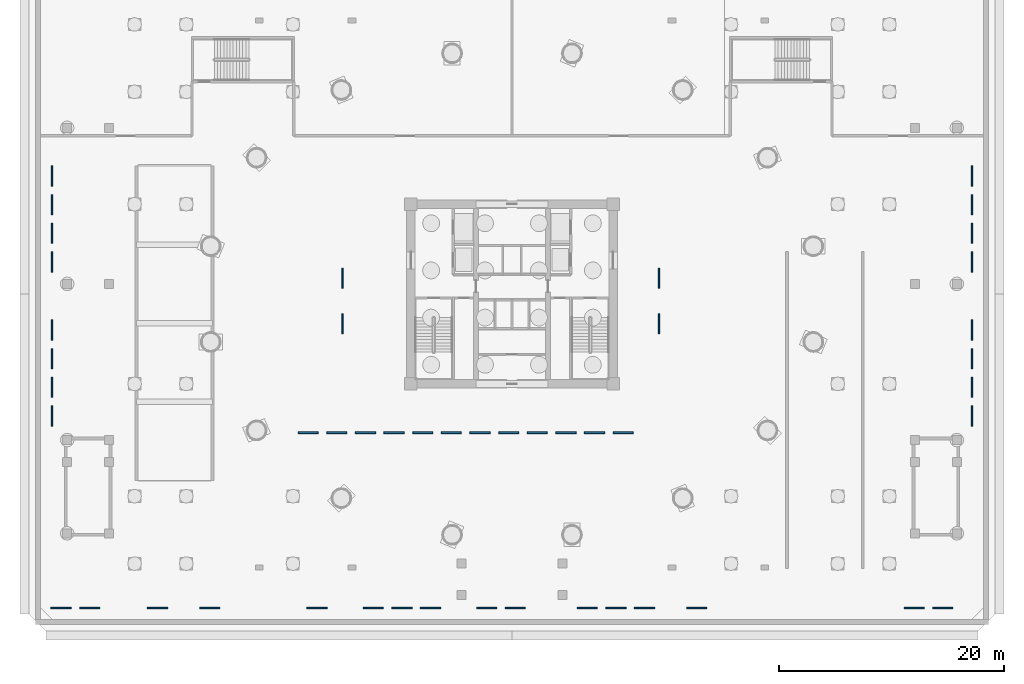
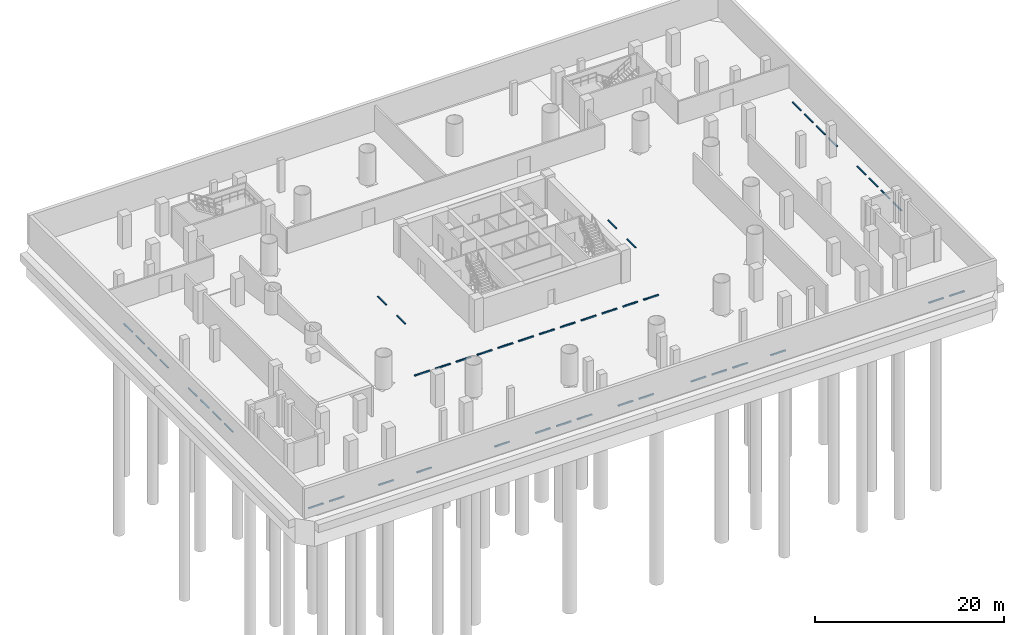
# One storey, part 7 of 11: 48 discrete accessories.
"""IFC4 building model written with IfcOpenShell, lengths in metres."""

import ifcopenshell
import ifcopenshell.guid

model = None  # the IFC model being written
_history = None  # IfcOwnerHistory: only IFC2X3 demands one
_inside = {}  # id of a spatial element -> (the spatial element, [elements in it])
_under = {}  # id of a project, library or spatial element -> (it, [spatial elements below it])
_declared = {}  # id of a project -> (the project, [libraries it declares])
_typed = {}  # id of a type object -> (the type object, [elements of that type])
_made_of = {}  # id of a material, layer set ... -> (it, [elements and type objects made of it])


def new_model(schema):
    """Start an empty IFC model of exactly this schema.

    Asked for "IFC4X3", IfcOpenShell would pick the latest addendum, in which some entities
    have other attributes; the version numbers below select the first issue.
    IFC2X3 requires an IfcOwnerHistory on every rooted entity: one is made here for all.
    """
    global model, _history
    if schema == "IFC4X3":
        model = ifcopenshell.file(schema_version=(4, 3, 0, 0))
    else:
        model = ifcopenshell.file(schema=schema)
    _inside.clear()
    _under.clear()
    _declared.clear()
    _typed.clear()
    _made_of.clear()
    _history = None
    if model.schema == "IFC2X3":
        org = make("IfcOrganization", Name="unknown")
        user = make(
            "IfcPersonAndOrganization",
            ThePerson=make("IfcPerson", FamilyName="unknown"),
            TheOrganization=org,
        )
        app = make(
            "IfcApplication",
            ApplicationDeveloper=org,
            Version="unknown",
            ApplicationFullName="unknown",
            ApplicationIdentifier="unknown",
        )
        _history = make(
            "IfcOwnerHistory",
            OwningUser=user,
            OwningApplication=app,
            ChangeAction="ADDED",
            CreationDate=0,
        )
    return model


def make(cls, **values):
    """One entity of the class cls with the attributes given. An attribute that is None is left unset."""
    return model.create_entity(
        cls, **{name: value for name, value in values.items() if value is not None}
    )


def rooted(cls, **values):
    """An entity with a GlobalId (a new one), such as an element, a storey or a relation."""
    return make(cls, GlobalId=ifcopenshell.guid.new(), OwnerHistory=_history, **values)


def si_unit(unit_type, name, prefix=None):
    """IfcSIUnit, for example si_unit("LENGTHUNIT", "METRE", prefix="MILLI")."""
    return make("IfcSIUnit", UnitType=unit_type, Prefix=prefix, Name=name)


def assignment(units):
    """IfcUnitAssignment: the units of a project."""
    return None if units is None else make("IfcUnitAssignment", Units=units)


def point(xyz):
    """IfcCartesianPoint."""
    return None if xyz is None else make("IfcCartesianPoint", Coordinates=xyz)


def direction(xyz):
    """IfcDirection."""
    return None if xyz is None else make("IfcDirection", DirectionRatios=xyz)


def frame(location, z_axis=None, x_axis=None):
    """IfcAxis2Placement3D, a coordinate frame: its origin and axes. An axis left out is left unset."""
    return make(
        "IfcAxis2Placement3D",
        Location=point(location),
        Axis=direction(z_axis),
        RefDirection=direction(x_axis),
    )


def frame_2d(location, x_axis=None):
    """IfcAxis2Placement2D, a coordinate frame in the plane: its origin and x axis."""
    return make(
        "IfcAxis2Placement2D", Location=point(location), RefDirection=direction(x_axis)
    )


def origin():
    """The frame at (0, 0, 0) with its axes left unset."""
    return frame((0.0, 0.0, 0.0))


def origin_2d():
    """The frame at (0, 0) in the plane with its x axis left unset."""
    return frame_2d((0.0, 0.0))


def place(relative_to, where):
    """IfcLocalPlacement: puts the frame where relative to a parent placement (None: the world)."""
    return make(
        "IfcLocalPlacement", PlacementRelTo=relative_to, RelativePlacement=where
    )


def context(
    kind, dimensions, precision=None, world=None, true_north=None, identifier=None
):
    """IfcGeometricRepresentationContext, for example the 3D "Model" context."""
    return make(
        "IfcGeometricRepresentationContext",
        ContextIdentifier=identifier,
        ContextType=kind,
        CoordinateSpaceDimension=dimensions,
        Precision=precision,
        WorldCoordinateSystem=world,
        TrueNorth=true_north,
    )


def subcontext(parent, identifier, kind, view, scale=None):
    """IfcGeometricRepresentationSubContext, for example "Body" below "Model"."""
    return make(
        "IfcGeometricRepresentationSubContext",
        ContextIdentifier=identifier,
        ContextType=kind,
        ParentContext=parent,
        TargetScale=scale,
        TargetView=view,
    )


def project(units=None, contexts=None):
    """IfcProject with its units and contexts."""
    return rooted(
        "IfcProject",
        Name="project",
        RepresentationContexts=contexts,
        UnitsInContext=assignment(units),
    )


def spatial(cls, under=None, at=None, **own):
    """A site, building, storey or space (cls), placed at a placement, below another one or the project."""
    s = rooted(cls, ObjectPlacement=at, **own)
    if under is not None:
        _under.setdefault(under.id(), (under, []))[1].append(s)
    return s


def profile(cls, at=None, kind="AREA", **sizes):
    """A parametric profile (cls). Its sizes go by their IFC names, for example OverallWidth=200.0."""
    return make(cls, ProfileType=kind, Position=at, **sizes)


def rectangle(**sizes):
    """IfcRectangleProfileDef."""
    return profile("IfcRectangleProfileDef", **sizes)


def extrude(swept, where, along, depth):
    """IfcExtrudedAreaSolid: the profile swept, set in the frame where, extruded along a direction by depth."""
    return make(
        "IfcExtrudedAreaSolid",
        SweptArea=swept,
        Position=where,
        ExtrudedDirection=direction(along),
        Depth=depth,
    )


def shape(context_of_items, identifier, shape_type, items):
    """IfcShapeRepresentation: the items that make up one representation, for example the "Body"."""
    return make(
        "IfcShapeRepresentation",
        ContextOfItems=context_of_items,
        RepresentationIdentifier=identifier,
        RepresentationType=shape_type,
        Items=items,
    )


def source(mapping_origin, context_of_items, identifier, shape_type, items):
    """IfcRepresentationMap: a shape defined once, which mapped items show again and again."""
    return make(
        "IfcRepresentationMap",
        MappingOrigin=mapping_origin,
        MappedRepresentation=shape(context_of_items, identifier, shape_type, items),
    )


def transform(
    local_origin,
    x_axis=None,
    y_axis=None,
    z_axis=None,
    scale=None,
    scale2=None,
    scale3=None,
    uniform=True,
):
    """IfcCartesianTransformationOperator3D, or its non-uniform kind. x_axis, y_axis, z_axis: its Axis1, 2, 3."""
    if uniform:
        return make(
            "IfcCartesianTransformationOperator3D",
            Axis1=direction(x_axis),
            Axis2=direction(y_axis),
            LocalOrigin=point(local_origin),
            Scale=scale,
            Axis3=direction(z_axis),
        )
    return make(
        "IfcCartesianTransformationOperator3DnonUniform",
        Axis1=direction(x_axis),
        Axis2=direction(y_axis),
        LocalOrigin=point(local_origin),
        Scale=scale,
        Axis3=direction(z_axis),
        Scale2=scale2,
        Scale3=scale3,
    )


def mapped(mapping_source, mapping_target):
    """IfcMappedItem: shows the shape of a source again, moved by a transform."""
    return make(
        "IfcMappedItem", MappingSource=mapping_source, MappingTarget=mapping_target
    )


def material(Name=None, Category=None):
    """IfcMaterial."""
    return make("IfcMaterial", Name=Name, Category=Category)


def layer(
    of_material, thickness, ventilated=None, Name=None, Category=None, Priority=None
):
    """IfcMaterialLayer: one layer of a wall or slab, of a material (None: an air gap)."""
    return make(
        "IfcMaterialLayer",
        Material=of_material,
        LayerThickness=thickness,
        IsVentilated=ventilated,
        Name=Name,
        Category=Category,
        Priority=Priority,
    )


def layer_set(layers, Name=None):
    """IfcMaterialLayerSet."""
    return make("IfcMaterialLayerSet", MaterialLayers=layers, LayerSetName=Name)


def made_of(thing, what):
    """Note that an element or type object is made of a material, layer set ...; save() writes the relation."""
    if what is not None:
        _made_of.setdefault(what.id(), (what, []))[1].append(thing)
    return thing


def type_object(cls, material=None, **own):
    """A type object (cls), such as IfcWallType, which elements share."""
    return made_of(rooted(cls, **own), material)


def element(
    cls,
    number,
    at=None,
    inside=None,
    cuts=None,
    type_object=None,
    material=None,
    context=None,
    identifier="Body",
    shape_type=None,
    held_by="IfcProductDefinitionShape",
    body=None,
    shapes=None,
    **own,
):
    """One element of the class cls, such as IfcWall. Its Tag is "e" and its number.

    at: its placement. inside: the storey or other place that contains it. cuts: it is an
    opening in that element (IfcRelVoidsElement). A single representation is given by context,
    identifier, shape_type and body (its items); several are given by shapes. held_by: the class
    of the entity that holds the representations. save() writes the other relations.
    """
    e = rooted(cls, Tag="e%d" % number, ObjectPlacement=at, **own)
    if body is not None:
        shapes = [shape(context, identifier, shape_type, body)]
    if shapes is not None:
        e.Representation = make(held_by, Representations=shapes)
    if inside is not None:
        _inside.setdefault(inside.id(), (inside, []))[1].append(e)
    if cuts is not None:
        rooted(
            "IfcRelVoidsElement", RelatingBuildingElement=cuts, RelatedOpeningElement=e
        )
    if type_object is not None:
        _typed.setdefault(type_object.id(), (type_object, []))[1].append(e)
    return made_of(e, material)


def aggregate(whole, parts):
    """IfcRelAggregates: a whole, such as a stair, and the parts it consists of."""
    return rooted("IfcRelAggregates", RelatingObject=whole, RelatedObjects=parts)


def save(model, path):
    """Write the relations noted so far, then the file.

    IfcRelAggregates (storeys below a building ...), IfcRelContainedInSpatialStructure (elements
    in a storey), IfcRelDefinesByType, IfcRelAssociatesMaterial and IfcRelDeclares: one each for
    every whole, place, type object, material and project.
    """
    for whole, parts in _under.values():
        aggregate(whole, parts)
    for where, things in _inside.values():
        rooted(
            "IfcRelContainedInSpatialStructure",
            RelatedElements=things,
            RelatingStructure=where,
        )
    for kind, things in _typed.values():
        rooted("IfcRelDefinesByType", RelatedObjects=things, RelatingType=kind)
    for what, things in _made_of.values():
        rooted("IfcRelAssociatesMaterial", RelatedObjects=things, RelatingMaterial=what)
    for by, libraries in _declared.values():
        rooted("IfcRelDeclares", RelatingContext=by, RelatedDefinitions=libraries)
    model.write(path)


model = new_model("IFC4")

# Units and contexts
model_context = context("Model", 3, precision=1e-05, world=origin(), true_north=direction((-0.2419218956, 0.970295726276)))
body_context = subcontext(model_context, "Body", "Model", "MODEL_VIEW")
ifc_project = project(units=[si_unit("LENGTHUNIT", "METRE"), si_unit("AREAUNIT", "SQUARE_METRE"), si_unit("VOLUMEUNIT", "CUBIC_METRE"), si_unit("PLANEANGLEUNIT", "RADIAN"), si_unit("MASSUNIT", "GRAM", prefix="KILO")], contexts=[model_context])

# Site, building, storey
site_placement = place(None, origin())
site = spatial("IfcSite", under=ifc_project, at=site_placement, CompositionType="ELEMENT")
building_placement = place(site_placement, origin())
building = spatial("IfcBuilding", under=site, at=building_placement, Name="Cobrevalo Terracotta Tower", CompositionType="ELEMENT")
storey_placement = place(building_placement, frame((0.0, 0.0, -8.39990234375)))
storey = spatial("IfcBuildingStorey", under=building, at=storey_placement, Name="B02", CompositionType="ELEMENT", Elevation=-8.39990234375)

# Discrete accessories
ifc_material = material(Name="Precast concrete C45", Category="concrete")
ifc_layer_1 = layer(ifc_material, 0.1201171875)
ifc_layer_set_1 = layer_set([ifc_layer_1], Name="Precast concrete C45")
discrete_accessory_type_1 = type_object("IfcDiscreteAccessoryType", Name="Accessible parking bay wheel stop", PredefinedType="USERDEFINED", material=ifc_layer_set_1)
shared_shape = source(origin(), body_context, "Body", "SweptSolid", [
    extrude(rectangle(XDim=1.800048828125, YDim=0.14990234375, at=origin_2d()), origin(), (0.0, 0.0, 1.0), 0.1201171875),
])
for number, where, z_axis, x_axis, name in (
    (1, (22.89990234375, 28.199951171875, -0.000244140625), (0.0, 0.0, 1.0), (0.0, 1.0, 0.0), "B02 Accessible parking bay wheel stop PK-B02-A01"),
    (2, (22.89990234375, 24.14990234375, -0.000244140625), (0.0, 0.0, 1.0), (0.0, 1.0, 0.0), "B02 Accessible parking bay wheel stop PK-B02-A02"),
    (3, (51.10009765625, 28.199951171875, -0.000244140625), (0.0, 0.0, 1.0), (0.0, 1.0, 0.0), "B02 Accessible parking bay wheel stop PK-B02-A03"),
    (4, (51.10009765625, 24.14990234375, -0.000244140625), (0.0, 0.0, 1.0), (0.0, 1.0, 0.0), "B02 Accessible parking bay wheel stop PK-B02-A04"),
):
    element("IfcDiscreteAccessory", number, at=place(storey_placement, frame(where, z_axis=z_axis, x_axis=x_axis)), inside=storey, type_object=discrete_accessory_type_1, Name=name, ObjectType="WHEEL STOP", PredefinedType="USERDEFINED", context=body_context, shape_type="MappedRepresentation", body=[
        mapped(shared_shape, transform((0.0, 0.0, 0.0), scale=1.0)),
    ])
ifc_layer_2 = layer(ifc_material, 0.1201171875)
ifc_layer_set_2 = layer_set([ifc_layer_2], Name="Precast concrete C45")
discrete_accessory_type_2 = type_object("IfcDiscreteAccessoryType", Name="Precast concrete parking bay wheel stop", PredefinedType="USERDEFINED", material=ifc_layer_set_2)
for number, where, z_axis, x_axis, name in (
    (5, (-2.14990234375, -1.14990234375, -0.000244140625), (0.0, 0.0, 1.0), (1.0, 0.0, 0.0), "B02 Precast concrete parking bay wheel stop PK-B02-01"),
    (6, (0.39990234375, -1.14990234375, -0.000244140625), (0.0, 0.0, 1.0), (1.0, 0.0, 0.0), "B02 Precast concrete parking bay wheel stop PK-B02-02"),
    (7, (6.449951171875, -1.14990234375, -0.000244140625), (0.0, 0.0, 1.0), (1.0, 0.0, 0.0), "B02 Precast concrete parking bay wheel stop PK-B02-03"),
    (8, (11.10009765625, -1.14990234375, -0.000244140625), (0.0, 0.0, 1.0), (1.0, 0.0, 0.0), "B02 Precast concrete parking bay wheel stop PK-B02-04"),
    (9, (20.64990234375, -1.14990234375, -0.000244140625), (0.0, 0.0, 1.0), (1.0, 0.0, 0.0), "B02 Precast concrete parking bay wheel stop PK-B02-05"),
    (10, (25.64990234375, -1.14990234375, -0.000244140625), (0.0, 0.0, 1.0), (1.0, 0.0, 0.0), "B02 Precast concrete parking bay wheel stop PK-B02-06"),
    (11, (28.199951171875, -1.14990234375, -0.000244140625), (0.0, 0.0, 1.0), (1.0, 0.0, 0.0), "B02 Precast concrete parking bay wheel stop PK-B02-07"),
    (12, (30.75, -1.14990234375, -0.000244140625), (0.0, 0.0, 1.0), (1.0, 0.0, 0.0), "B02 Precast concrete parking bay wheel stop PK-B02-08"),
    (13, (35.75, -1.14990234375, -0.000244140625), (0.0, 0.0, 1.0), (1.0, 0.0, 0.0), "B02 Precast concrete parking bay wheel stop PK-B02-09"),
    (14, (38.300048828125, -1.14990234375, -0.000244140625), (0.0, 0.0, 1.0), (1.0, 0.0, 0.0), "B02 Precast concrete parking bay wheel stop PK-B02-10"),
    (15, (44.699951171875, -1.14990234375, -0.000244140625), (0.0, 0.0, 1.0), (1.0, 0.0, 0.0), "B02 Precast concrete parking bay wheel stop PK-B02-11"),
    (16, (47.25, -1.14990234375, -0.000244140625), (0.0, 0.0, 1.0), (1.0, 0.0, 0.0), "B02 Precast concrete parking bay wheel stop PK-B02-12"),
    (17, (49.800048828125, -1.14990234375, -0.000244140625), (0.0, 0.0, 1.0), (1.0, 0.0, 0.0), "B02 Precast concrete parking bay wheel stop PK-B02-13"),
    (18, (54.449951171875, -1.14990234375, -0.000244140625), (0.0, 0.0, 1.0), (1.0, 0.0, 0.0), "B02 Precast concrete parking bay wheel stop PK-B02-14"),
    (19, (73.800048828125, -1.14990234375, -0.000244140625), (0.0, 0.0, 1.0), (1.0, 0.0, 0.0), "B02 Precast concrete parking bay wheel stop PK-B02-15"),
    (20, (76.35009765625, -1.14990234375, -0.000244140625), (0.0, 0.0, 1.0), (1.0, 0.0, 0.0), "B02 Precast concrete parking bay wheel stop PK-B02-16"),
    (21, (-2.949951171875, 15.949951171875, -0.000244140625), (0.0, 0.0, 1.0), (0.0, 1.0, 0.0), "B02 Precast concrete parking bay wheel stop PK-B02-17"),
    (22, (-2.949951171875, 18.5, -0.000244140625), (0.0, 0.0, 1.0), (0.0, 1.0, 0.0), "B02 Precast concrete parking bay wheel stop PK-B02-18"),
    (23, (-2.949951171875, 21.050048828125, -0.000244140625), (0.0, 0.0, 1.0), (0.0, 1.0, 0.0), "B02 Precast concrete parking bay wheel stop PK-B02-19"),
    (24, (-2.949951171875, 23.60009765625, -0.000244140625), (0.0, 0.0, 1.0), (0.0, 1.0, 0.0), "B02 Precast concrete parking bay wheel stop PK-B02-20"),
    (25, (-2.949951171875, 29.64990234375, -0.000244140625), (0.0, 0.0, 1.0), (0.0, 1.0, 0.0), "B02 Precast concrete parking bay wheel stop PK-B02-21"),
    (26, (-2.949951171875, 32.199951171875, -0.000244140625), (0.0, 0.0, 1.0), (0.0, 1.0, 0.0), "B02 Precast concrete parking bay wheel stop PK-B02-22"),
    (27, (-2.949951171875, 34.75, -0.000244140625), (0.0, 0.0, 1.0), (0.0, 1.0, 0.0), "B02 Precast concrete parking bay wheel stop PK-B02-23"),
    (28, (-2.949951171875, 37.300048828125, -0.000244140625), (0.0, 0.0, 1.0), (0.0, 1.0, 0.0), "B02 Precast concrete parking bay wheel stop PK-B02-24"),
    (29, (78.949951171875, 15.949951171875, -0.000244140625), (0.0, 0.0, 1.0), (0.0, 1.0, 0.0), "B02 Precast concrete parking bay wheel stop PK-B02-25"),
    (30, (78.949951171875, 18.5, -0.000244140625), (0.0, 0.0, 1.0), (0.0, 1.0, 0.0), "B02 Precast concrete parking bay wheel stop PK-B02-26"),
    (31, (78.949951171875, 21.050048828125, -0.000244140625), (0.0, 0.0, 1.0), (0.0, 1.0, 0.0), "B02 Precast concrete parking bay wheel stop PK-B02-27"),
    (32, (78.949951171875, 23.60009765625, -0.000244140625), (0.0, 0.0, 1.0), (0.0, 1.0, 0.0), "B02 Precast concrete parking bay wheel stop PK-B02-28"),
    (33, (78.949951171875, 29.64990234375, -0.000244140625), (0.0, 0.0, 1.0), (0.0, 1.0, 0.0), "B02 Precast concrete parking bay wheel stop PK-B02-29"),
    (34, (78.949951171875, 32.199951171875, -0.000244140625), (0.0, 0.0, 1.0), (0.0, 1.0, 0.0), "B02 Precast concrete parking bay wheel stop PK-B02-30"),
    (35, (78.949951171875, 34.75, -0.000244140625), (0.0, 0.0, 1.0), (0.0, 1.0, 0.0), "B02 Precast concrete parking bay wheel stop PK-B02-31"),
    (36, (78.949951171875, 37.300048828125, -0.000244140625), (0.0, 0.0, 1.0), (0.0, 1.0, 0.0), "B02 Precast concrete parking bay wheel stop PK-B02-32"),
    (37, (19.85009765625, 14.449951171875, -0.000244140625), (0.0, 0.0, 1.0), (1.0, 0.0, 0.0), "B02 Precast concrete parking bay wheel stop PK-B02-33"),
    (38, (22.39990234375, 14.449951171875, -0.000244140625), (0.0, 0.0, 1.0), (1.0, 0.0, 0.0), "B02 Precast concrete parking bay wheel stop PK-B02-34"),
    (39, (24.949951171875, 14.449951171875, -0.000244140625), (0.0, 0.0, 1.0), (1.0, 0.0, 0.0), "B02 Precast concrete parking bay wheel stop PK-B02-35"),
    (40, (27.5, 14.449951171875, -0.000244140625), (0.0, 0.0, 1.0), (1.0, 0.0, 0.0), "B02 Precast concrete parking bay wheel stop PK-B02-36"),
    (41, (30.050048828125, 14.449951171875, -0.000244140625), (0.0, 0.0, 1.0), (1.0, 0.0, 0.0), "B02 Precast concrete parking bay wheel stop PK-B02-37"),
    (42, (32.60009765625, 14.449951171875, -0.000244140625), (0.0, 0.0, 1.0), (1.0, 0.0, 0.0), "B02 Precast concrete parking bay wheel stop PK-B02-38"),
    (43, (35.14990234375, 14.449951171875, -0.000244140625), (0.0, 0.0, 1.0), (1.0, 0.0, 0.0), "B02 Precast concrete parking bay wheel stop PK-B02-39"),
    (44, (37.699951171875, 14.449951171875, -0.000244140625), (0.0, 0.0, 1.0), (1.0, 0.0, 0.0), "B02 Precast concrete parking bay wheel stop PK-B02-40"),
    (45, (40.25, 14.449951171875, -0.000244140625), (0.0, 0.0, 1.0), (1.0, 0.0, 0.0), "B02 Precast concrete parking bay wheel stop PK-B02-41"),
    (46, (42.800048828125, 14.449951171875, -0.000244140625), (0.0, 0.0, 1.0), (1.0, 0.0, 0.0), "B02 Precast concrete parking bay wheel stop PK-B02-42"),
    (47, (45.35009765625, 14.449951171875, -0.000244140625), (0.0, 0.0, 1.0), (1.0, 0.0, 0.0), "B02 Precast concrete parking bay wheel stop PK-B02-43"),
    (48, (47.89990234375, 14.449951171875, -0.000244140625), (0.0, 0.0, 1.0), (1.0, 0.0, 0.0), "B02 Precast concrete parking bay wheel stop PK-B02-44"),
):
    element("IfcDiscreteAccessory", number, at=place(storey_placement, frame(where, z_axis=z_axis, x_axis=x_axis)), inside=storey, type_object=discrete_accessory_type_2, Name=name, ObjectType="WHEEL STOP", PredefinedType="USERDEFINED", context=body_context, shape_type="MappedRepresentation", body=[
        mapped(shared_shape, transform((0.0, 0.0, 0.0), scale=1.0)),
    ])

save(model, "model.ifc")
